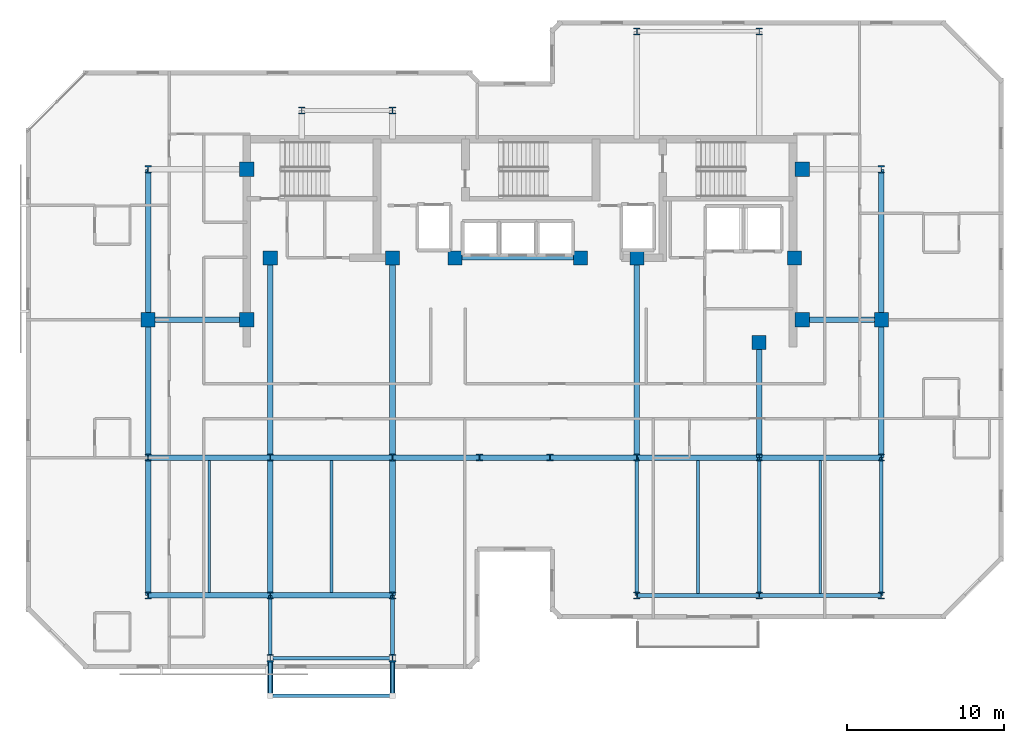
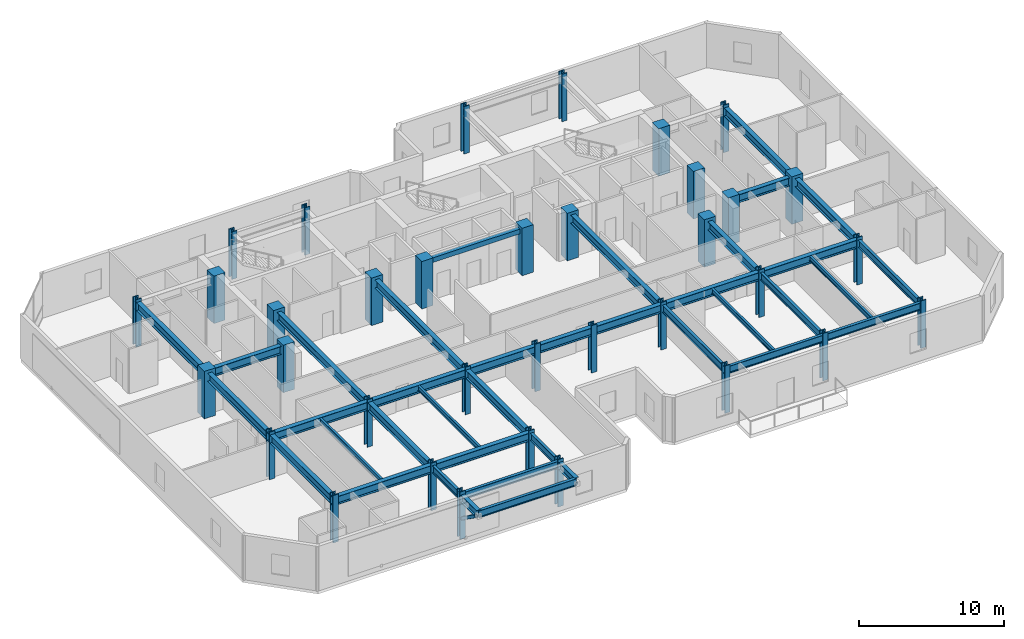
# One storey, part 1 of 10: 38 beams, 35 columns, 2 members.
"""IFC4 building model written with IfcOpenShell, lengths in metres."""

from ifc_helpers import new_model, si_unit, direction, frame, origin, origin_2d, place, context, subcontext, project, spatial, rectangle, hollow_rectangle, i_section, extrude, material, material_profile, profile_set, type_object, element, save


model = new_model("IFC4")

# Units and contexts
model_context = context("Model", 3, precision=1e-05, world=origin(), true_north=direction((0.0, 1.0)))
body_context = subcontext(model_context, "Body", "Model", "MODEL_VIEW")
ifc_project = project(units=[si_unit("LENGTHUNIT", "METRE"), si_unit("AREAUNIT", "SQUARE_METRE"), si_unit("VOLUMEUNIT", "CUBIC_METRE"), si_unit("PLANEANGLEUNIT", "RADIAN"), si_unit("MASSUNIT", "GRAM", prefix="KILO")], contexts=[model_context])

# Site, building, storey
site_placement = place(None, origin())
site = spatial("IfcSite", under=ifc_project, at=site_placement, CompositionType="ELEMENT")
building_placement = place(site_placement, origin())
building = spatial("IfcBuilding", under=site, at=building_placement, Name="Kestravale Grand Hotel", CompositionType="ELEMENT")
storey_placement = place(building_placement, frame((0.0, 0.0, 269.39990234375)))
storey = spatial("IfcBuildingStorey", under=building, at=storey_placement, Name="L67", CompositionType="ELEMENT", Elevation=269.39990234375)

# Columns
ifc_material_1 = material(Name="Concrete f'c 50 MPa", Category="concrete")
ifc_material_profile_1 = material_profile(ifc_material_1, rectangle(XDim=0.89990234375, YDim=0.89990234375, at=origin_2d()))
ifc_profile_set_1 = profile_set([ifc_material_profile_1], Name="Concrete f'c 50 MPa")
column_type_1 = type_object("IfcColumnType", Name="C-Z4-900", PredefinedType="COLUMN", material=ifc_profile_set_1)
for number, where, z_axis, x_axis, name in (
    (1, (15.60009765625, 28.800048828125, 0.0), (0.0, 0.0, 1.0), (1.0, 0.0, 0.0), "L67 column 3-E"),
    (2, (62.39990234375, 28.800048828125, 0.0), (0.0, 0.0, 1.0), (1.0, 0.0, 0.0), "L67 column 10-E"),
    (3, (21.89990234375, 28.800048828125, 0.0), (0.0, 0.0, 1.0), (1.0, 0.0, 0.0), "L67 column CW-E"),
    (4, (21.89990234375, 38.39990234375, 0.0), (0.0, 0.0, 1.0), (1.0, 0.0, 0.0), "L67 column CW-F"),
    (5, (57.35009765625, 28.800048828125, 0.0), (0.0, 0.0, 1.0), (1.0, 0.0, 0.0), "L67 column CE-E"),
    (6, (57.35009765625, 38.39990234375, 0.0), (0.0, 0.0, 1.0), (1.0, 0.0, 0.0), "L67 column CE-F"),
    (7, (23.39990234375, 32.75, 0.0), (0.0, 0.0, 1.0), (1.0, 0.0, 0.0), "L67 column 4-CS"),
    (8, (31.199951171875, 32.75, 0.0), (0.0, 0.0, 1.0), (1.0, 0.0, 0.0), "L67 column 5-CS"),
    (9, (35.199951171875, 32.75, 0.0), (0.0, 0.0, 1.0), (1.0, 0.0, 0.0), "L67 column 6C-CS"),
    (10, (43.199951171875, 32.75, 0.0), (0.0, 0.0, 1.0), (1.0, 0.0, 0.0), "L67 column 7C-CS"),
    (11, (46.800048828125, 32.75, 0.0), (0.0, 0.0, 1.0), (1.0, 0.0, 0.0), "L67 column 8-CS"),
    (12, (54.60009765625, 27.35009765625, 0.0), (0.0, 0.0, 1.0), (1.0, 0.0, 0.0), "L67 column 9-CS"),
    (13, (56.85009765625, 32.75, 0.0), (0.0, 0.0, 1.0), (1.0, 0.0, 0.0), "L67 column 9C-CS"),
):
    element("IfcColumn", number, at=place(storey_placement, frame(where, z_axis=z_axis, x_axis=x_axis)), inside=storey, type_object=column_type_1, Name=name, PredefinedType="COLUMN", context=body_context, shape_type="SweptSolid", body=[
        extrude(rectangle(XDim=0.89990234375, YDim=0.89990234375, at=origin_2d()), origin(), (0.0, 0.0, 1.0), 4.0),
    ])
ifc_material_2 = material(Name="Steel ASTM A992 Grade 50", Category="steel")
ifc_material_profile_2 = material_profile(ifc_material_2, i_section(OverallWidth=0.422119140625, OverallDepth=0.465087890625, WebThickness=0.044921875, FlangeThickness=0.072509765625, FilletRadius=0.0166015625, at=origin_2d()))
ifc_profile_set_2 = profile_set([ifc_material_profile_2], Name="Steel ASTM A992 Grade 50")
column_type_2 = type_object("IfcColumnType", Name="C-Z4-W14X398", PredefinedType="COLUMN", material=ifc_profile_set_2)
for number, where, z_axis, x_axis, name in (
    (14, (15.60009765625, 11.199951171875, 0.0), (0.0, 0.0, 1.0), (1.0, 0.0, 0.0), "L67 column 3-C"),
    (15, (15.60009765625, 20.0, 0.0), (0.0, 0.0, 1.0), (1.0, 0.0, 0.0), "L67 column 3-D"),
    (16, (15.60009765625, 38.39990234375, 0.0), (0.0, 0.0, 1.0), (1.0, 0.0, 0.0), "L67 column 3-F"),
    (17, (23.39990234375, 11.199951171875, 0.0), (0.0, 0.0, 1.0), (1.0, 0.0, 0.0), "L67 column 4-C"),
    (18, (23.39990234375, 20.0, 0.0), (0.0, 0.0, 1.0), (1.0, 0.0, 0.0), "L67 column 4-D"),
    (19, (31.199951171875, 11.199951171875, 0.0), (0.0, 0.0, 1.0), (1.0, 0.0, 0.0), "L67 column 5-C"),
    (20, (31.199951171875, 20.0, 0.0), (0.0, 0.0, 1.0), (1.0, 0.0, 0.0), "L67 column 5-D"),
    (21, (36.75, 20.0, 0.0), (0.0, 0.0, 1.0), (1.0, 0.0, 0.0), "L67 column 6-D"),
    (22, (41.25, 20.0, 0.0), (0.0, 0.0, 1.0), (1.0, 0.0, 0.0), "L67 column 7-D"),
    (23, (46.800048828125, 11.199951171875, 0.0), (0.0, 0.0, 1.0), (1.0, 0.0, 0.0), "L67 column 8-C"),
    (24, (46.800048828125, 20.0, 0.0), (0.0, 0.0, 1.0), (1.0, 0.0, 0.0), "L67 column 8-D"),
    (25, (46.800048828125, 47.199951171875, 0.0), (0.0, 0.0, 1.0), (1.0, 0.0, 0.0), "L67 column 8-G"),
    (26, (54.60009765625, 11.199951171875, 0.0), (0.0, 0.0, 1.0), (1.0, 0.0, 0.0), "L67 column 9-C"),
    (27, (54.60009765625, 20.0, 0.0), (0.0, 0.0, 1.0), (1.0, 0.0, 0.0), "L67 column 9-D"),
    (28, (54.60009765625, 47.199951171875, 0.0), (0.0, 0.0, 1.0), (1.0, 0.0, 0.0), "L67 column 9-G"),
    (29, (62.39990234375, 11.199951171875, 0.0), (0.0, 0.0, 1.0), (1.0, 0.0, 0.0), "L67 column 10-C"),
    (30, (62.39990234375, 20.0, 0.0), (0.0, 0.0, 1.0), (1.0, 0.0, 0.0), "L67 column 10-D"),
    (31, (62.39990234375, 38.39990234375, 0.0), (0.0, 0.0, 1.0), (1.0, 0.0, 0.0), "L67 column 10-F"),
    (32, (23.39990234375, 7.199951171875, 0.0), (0.0, 0.0, 1.0), (1.0, 0.0, 0.0), "L67 column 4-BS"),
    (33, (31.199951171875, 7.199951171875, 0.0), (0.0, 0.0, 1.0), (1.0, 0.0, 0.0), "L67 column 5-BS"),
    (34, (25.39990234375, 42.14990234375, 0.0), (0.0, 0.0, 1.0), (1.0, 0.0, 0.0), "L67 column 4-FN"),
    (35, (31.199951171875, 42.14990234375, 0.0), (0.0, 0.0, 1.0), (1.0, 0.0, 0.0), "L67 column 5-FN"),
):
    element("IfcColumn", number, at=place(storey_placement, frame(where, z_axis=z_axis, x_axis=x_axis)), inside=storey, type_object=column_type_2, Name=name, PredefinedType="COLUMN", context=body_context, shape_type="SweptSolid", body=[
        extrude(i_section(OverallWidth=0.422119140625, OverallDepth=0.465087890625, WebThickness=0.044921875, FlangeThickness=0.072509765625, FilletRadius=0.0166015625, at=origin_2d()), origin(), (0.0, 0.0, 1.0), 4.0),
    ])

# Beams
ifc_material_3 = material(Name="Steel ASTM A992 Grade 50", Category="steel")
ifc_material_profile_3 = material_profile(ifc_material_3, i_section(OverallWidth=0.177978515625, OverallDepth=0.404052734375, WebThickness=0.007568359375, FlangeThickness=0.010986328125, FilletRadius=0.01416015625, at=origin_2d()))
ifc_profile_set_3 = profile_set([ifc_material_profile_3], Name="Steel ASTM A992 Grade 50")
beam_type_1 = type_object("IfcBeamType", Name="B-FLR-JST16", PredefinedType="JOIST", material=ifc_profile_set_3)
for number, where, z_axis, x_axis, name in (
    (36, (19.5, 11.3779296875, 3.55810546875), (0.0, 1.0, 0.0), (-1.0, 0.0, 0.0), "L67 floor joist 3-4/C-D #1"),
    (37, (27.300048828125, 11.3779296875, 3.55810546875), (0.0, 1.0, 0.0), (-1.0, 0.0, 0.0), "L67 floor joist 4-5/C-D #1"),
):
    element("IfcBeam", number, at=place(storey_placement, frame(where, z_axis=z_axis, x_axis=x_axis)), inside=storey, type_object=beam_type_1, Name=name, PredefinedType="JOIST", context=body_context, shape_type="SweptSolid", body=[
        extrude(i_section(OverallWidth=0.177978515625, OverallDepth=0.404052734375, WebThickness=0.007568359375, FlangeThickness=0.010986328125, FilletRadius=0.01416015625, at=origin_2d()), origin(), (0.0, 0.0, 1.0), 8.444091796875),
    ])
for number, where, z_axis, x_axis, name in (
    (38, (50.699951171875, 11.314453125, 3.55810546875), (0.0, 1.0, 0.0), (-1.0, 0.0, 0.0), "L67 floor joist 8-9/C-D #1"),
    (39, (58.5, 11.314453125, 3.55810546875), (0.0, 1.0, 0.0), (-1.0, 0.0, 0.0), "L67 floor joist 9-10/C-D #1"),
):
    element("IfcBeam", number, at=place(storey_placement, frame(where, z_axis=z_axis, x_axis=x_axis)), inside=storey, type_object=beam_type_1, Name=name, PredefinedType="JOIST", context=body_context, shape_type="SweptSolid", body=[
        extrude(i_section(OverallWidth=0.177978515625, OverallDepth=0.404052734375, WebThickness=0.007568359375, FlangeThickness=0.010986328125, FilletRadius=0.01416015625, at=origin_2d()), origin(), (0.0, 0.0, 1.0), 8.507568359375),
    ])
ifc_material_4 = material(Name="Concrete f'c 45 MPa", Category="concrete")
ifc_material_profile_4 = material_profile(ifc_material_4, rectangle(XDim=0.300048828125, YDim=0.39990234375, at=origin_2d()))
ifc_profile_set_4 = profile_set([ifc_material_profile_4], Name="Concrete f'c 45 MPa")
beam_type_2 = type_object("IfcBeamType", Name="B-FLR-LNT400", PredefinedType="LINTEL", material=ifc_profile_set_4)
beam_1_placement = place(storey_placement, frame((35.199951171875, 32.75, 3.56005859375), z_axis=(1.0, 0.0, 0.0), x_axis=(0.0, 1.0, 0.0)))
element("IfcBeam", 40, at=beam_1_placement, inside=storey, type_object=beam_type_2, Name="L67 core portal header lintel", PredefinedType="LINTEL", context=body_context, shape_type="SweptSolid", body=[
    extrude(rectangle(XDim=0.300048828125, YDim=0.39990234375, at=origin_2d()), origin(), (0.0, 0.0, 1.0), 8.0),
])
ifc_material_5 = material(Name="Steel ASTM A992 Grade 50", Category="steel")
ifc_material_profile_5 = material_profile(ifc_material_5, i_section(OverallWidth=0.324951171875, OverallDepth=0.612060546875, WebThickness=0.0126953125, FlangeThickness=0.01904296875, FilletRadius=0.018798828125, at=origin_2d()))
ifc_profile_set_5 = profile_set([ifc_material_profile_5], Name="Steel ASTM A992 Grade 50")
beam_type_3 = type_object("IfcBeamType", Name="B-FLR-W24A", PredefinedType="SPANDREL", material=ifc_profile_set_5)
for number, where, z_axis, x_axis, name in (
    (41, (23.39990234375, 7.199951171875, 3.424072265625), (0.0, -1.0, 0.0), (1.0, 0.0, 0.0), "L68 terrace cantilever beam 1"),
    (42, (31.199951171875, 7.199951171875, 3.424072265625), (0.0, -1.0, 0.0), (1.0, 0.0, 0.0), "L68 terrace cantilever beam 2"),
):
    element("IfcBeam", number, at=place(storey_placement, frame(where, z_axis=z_axis, x_axis=x_axis)), inside=storey, type_object=beam_type_3, Name=name, PredefinedType="SPANDREL", context=body_context, shape_type="SweptSolid", body=[
        extrude(i_section(OverallWidth=0.324951171875, OverallDepth=0.612060546875, WebThickness=0.0126953125, FlangeThickness=0.01904296875, FilletRadius=0.018798828125, at=origin_2d()), origin(), (0.0, 0.0, 1.0), 2.39990234375),
    ])
ifc_material_6 = material(Name="Steel ASTM A992 Grade 50", Category="steel")
ifc_material_profile_6 = material_profile(ifc_material_6, i_section(OverallWidth=0.22900390625, OverallDepth=0.612060546875, WebThickness=0.011962890625, FlangeThickness=0.01953125, FilletRadius=0.019287109375, at=origin_2d()))
ifc_profile_set_6 = profile_set([ifc_material_profile_6], Name="Steel ASTM A992 Grade 50")
beam_type_4 = type_object("IfcBeamType", Name="B-FLR-W24B", PredefinedType="SPANDREL", material=ifc_profile_set_6)
beam_2_placement = place(storey_placement, frame((46.800048828125, 11.199951171875, 3.4541015625), z_axis=(1.0, 0.0, 0.0), x_axis=(0.0, 1.0, 0.0)))
element("IfcBeam", 43, at=beam_2_placement, inside=storey, type_object=beam_type_4, Name="L67 spandrel C:8-9", PredefinedType="SPANDREL", context=body_context, shape_type="SweptSolid", body=[
    extrude(i_section(OverallWidth=0.22900390625, OverallDepth=0.612060546875, WebThickness=0.011962890625, FlangeThickness=0.01953125, FilletRadius=0.019287109375, at=origin_2d()), origin(), (0.0, 0.0, 1.0), 7.800048828125),
])
beam_3_placement = place(storey_placement, frame((54.60009765625, 11.199951171875, 3.4541015625), z_axis=(1.0, 0.0, 0.0), x_axis=(0.0, 1.0, 0.0)))
element("IfcBeam", 44, at=beam_3_placement, inside=storey, type_object=beam_type_4, Name="L67 spandrel C:9-10", PredefinedType="SPANDREL", context=body_context, shape_type="SweptSolid", body=[
    extrude(i_section(OverallWidth=0.22900390625, OverallDepth=0.612060546875, WebThickness=0.011962890625, FlangeThickness=0.01953125, FilletRadius=0.019287109375, at=origin_2d()), origin(), (0.0, 0.0, 1.0), 7.7998046875),
])
beam_4_placement = place(storey_placement, frame((23.39990234375, 7.199951171875, 3.4541015625), z_axis=(1.0, 0.0, 0.0), x_axis=(0.0, 1.0, 0.0)))
element("IfcBeam", 45, at=beam_4_placement, inside=storey, type_object=beam_type_4, Name="L67 perimeter tie spandrel BS:4-5", PredefinedType="SPANDREL", context=body_context, shape_type="SweptSolid", body=[
    extrude(i_section(OverallWidth=0.22900390625, OverallDepth=0.612060546875, WebThickness=0.011962890625, FlangeThickness=0.01953125, FilletRadius=0.019287109375, at=origin_2d()), origin(), (0.0, 0.0, 1.0), 7.800048828125),
])
for number, where, z_axis, x_axis, name in (
    (46, (23.39990234375, 7.199951171875, 3.4541015625), (0.0, 1.0, 0.0), (-1.0, 0.0, 0.0), "L67 spandrel 4:BS-C"),
    (47, (31.199951171875, 7.199951171875, 3.4541015625), (0.0, 1.0, 0.0), (-1.0, 0.0, 0.0), "L67 spandrel 5:BS-C"),
):
    element("IfcBeam", number, at=place(storey_placement, frame(where, z_axis=z_axis, x_axis=x_axis)), inside=storey, type_object=beam_type_4, Name=name, PredefinedType="SPANDREL", context=body_context, shape_type="SweptSolid", body=[
        extrude(i_section(OverallWidth=0.22900390625, OverallDepth=0.612060546875, WebThickness=0.011962890625, FlangeThickness=0.01953125, FilletRadius=0.019287109375, at=origin_2d()), origin(), (0.0, 0.0, 1.0), 4.0),
    ])
for number, where, z_axis, x_axis, name in (
    (48, (46.800048828125, 11.199951171875, 3.4541015625), (0.0, 1.0, 0.0), (-1.0, 0.0, 0.0), "L67 spandrel 8:C-D"),
    (49, (54.60009765625, 11.199951171875, 3.4541015625), (0.0, 1.0, 0.0), (-1.0, 0.0, 0.0), "L67 spandrel 9:C-D"),
    (50, (62.39990234375, 11.199951171875, 3.4541015625), (0.0, 1.0, 0.0), (-1.0, 0.0, 0.0), "L67 spandrel 10:C-D"),
):
    element("IfcBeam", number, at=place(storey_placement, frame(where, z_axis=z_axis, x_axis=x_axis)), inside=storey, type_object=beam_type_4, Name=name, PredefinedType="SPANDREL", context=body_context, shape_type="SweptSolid", body=[
        extrude(i_section(OverallWidth=0.22900390625, OverallDepth=0.612060546875, WebThickness=0.011962890625, FlangeThickness=0.01953125, FilletRadius=0.019287109375, at=origin_2d()), origin(), (0.0, 0.0, 1.0), 8.800048828125),
    ])
beam_5_placement = place(storey_placement, frame((23.39990234375, 4.800048828125, 3.424072265625), z_axis=(1.0, 0.0, 0.0), x_axis=(0.0, 1.0, 0.0)))
element("IfcBeam", 51, at=beam_5_placement, inside=storey, type_object=beam_type_4, Name="L68 terrace edge spandrel", PredefinedType="SPANDREL", context=body_context, shape_type="SweptSolid", body=[
    extrude(i_section(OverallWidth=0.22900390625, OverallDepth=0.612060546875, WebThickness=0.011962890625, FlangeThickness=0.01953125, FilletRadius=0.019287109375, at=origin_2d()), origin(), (0.0, 0.0, 1.0), 7.800048828125),
])
ifc_material_7 = material(Name="Steel ASTM A992 Grade 50", Category="steel")
ifc_material_profile_7 = material_profile(ifc_material_7, i_section(OverallWidth=0.35595703125, OverallDepth=0.696044921875, WebThickness=0.015380859375, FlangeThickness=0.02490234375, FilletRadius=0.021240234375, at=origin_2d()))
ifc_profile_set_7 = profile_set([ifc_material_profile_7], Name="Steel ASTM A992 Grade 50")
beam_type_5 = type_object("IfcBeamType", Name="B-GRD-W27", PredefinedType="BEAM", material=ifc_profile_set_7)
beam_6_placement = place(storey_placement, frame((15.60009765625, 11.199951171875, 3.412109375), z_axis=(1.0, 0.0, 0.0), x_axis=(0.0, 1.0, 0.0)))
element("IfcBeam", 52, at=beam_6_placement, inside=storey, type_object=beam_type_5, Name="L67 girder C:3-4", PredefinedType="BEAM", context=body_context, shape_type="SweptSolid", body=[
    extrude(i_section(OverallWidth=0.35595703125, OverallDepth=0.696044921875, WebThickness=0.015380859375, FlangeThickness=0.02490234375, FilletRadius=0.021240234375, at=origin_2d()), origin(), (0.0, 0.0, 1.0), 7.7998046875),
])
beam_7_placement = place(storey_placement, frame((23.39990234375, 11.199951171875, 3.412109375), z_axis=(1.0, 0.0, 0.0), x_axis=(0.0, 1.0, 0.0)))
element("IfcBeam", 53, at=beam_7_placement, inside=storey, type_object=beam_type_5, Name="L67 girder C:4-5", PredefinedType="BEAM", context=body_context, shape_type="SweptSolid", body=[
    extrude(i_section(OverallWidth=0.35595703125, OverallDepth=0.696044921875, WebThickness=0.015380859375, FlangeThickness=0.02490234375, FilletRadius=0.021240234375, at=origin_2d()), origin(), (0.0, 0.0, 1.0), 7.800048828125),
])
beam_8_placement = place(storey_placement, frame((15.60009765625, 20.0, 3.412109375), z_axis=(1.0, 0.0, 0.0), x_axis=(0.0, 1.0, 0.0)))
element("IfcBeam", 54, at=beam_8_placement, inside=storey, type_object=beam_type_5, Name="L67 girder D:3-4", PredefinedType="BEAM", context=body_context, shape_type="SweptSolid", body=[
    extrude(i_section(OverallWidth=0.35595703125, OverallDepth=0.696044921875, WebThickness=0.015380859375, FlangeThickness=0.02490234375, FilletRadius=0.021240234375, at=origin_2d()), origin(), (0.0, 0.0, 1.0), 7.7998046875),
])
beam_9_placement = place(storey_placement, frame((23.39990234375, 20.0, 3.412109375), z_axis=(1.0, 0.0, 0.0), x_axis=(0.0, 1.0, 0.0)))
element("IfcBeam", 55, at=beam_9_placement, inside=storey, type_object=beam_type_5, Name="L67 girder D:4-5", PredefinedType="BEAM", context=body_context, shape_type="SweptSolid", body=[
    extrude(i_section(OverallWidth=0.35595703125, OverallDepth=0.696044921875, WebThickness=0.015380859375, FlangeThickness=0.02490234375, FilletRadius=0.021240234375, at=origin_2d()), origin(), (0.0, 0.0, 1.0), 7.800048828125),
])
beam_10_placement = place(storey_placement, frame((31.199951171875, 20.0, 3.412109375), z_axis=(1.0, 0.0, 0.0), x_axis=(0.0, 1.0, 0.0)))
element("IfcBeam", 56, at=beam_10_placement, inside=storey, type_object=beam_type_5, Name="L67 girder D:5-6", PredefinedType="BEAM", context=body_context, shape_type="SweptSolid", body=[
    extrude(i_section(OverallWidth=0.35595703125, OverallDepth=0.696044921875, WebThickness=0.015380859375, FlangeThickness=0.02490234375, FilletRadius=0.021240234375, at=origin_2d()), origin(), (0.0, 0.0, 1.0), 5.550048828125),
])
beam_11_placement = place(storey_placement, frame((36.75, 20.0, 3.412109375), z_axis=(1.0, 0.0, 0.0), x_axis=(0.0, 1.0, 0.0)))
element("IfcBeam", 57, at=beam_11_placement, inside=storey, type_object=beam_type_5, Name="L67 girder D:6-7", PredefinedType="BEAM", context=body_context, shape_type="SweptSolid", body=[
    extrude(i_section(OverallWidth=0.35595703125, OverallDepth=0.696044921875, WebThickness=0.015380859375, FlangeThickness=0.02490234375, FilletRadius=0.021240234375, at=origin_2d()), origin(), (0.0, 0.0, 1.0), 4.5),
])
beam_12_placement = place(storey_placement, frame((41.25, 20.0, 3.412109375), z_axis=(1.0, 0.0, 0.0), x_axis=(0.0, 1.0, 0.0)))
element("IfcBeam", 58, at=beam_12_placement, inside=storey, type_object=beam_type_5, Name="L67 girder D:7-8", PredefinedType="BEAM", context=body_context, shape_type="SweptSolid", body=[
    extrude(i_section(OverallWidth=0.35595703125, OverallDepth=0.696044921875, WebThickness=0.015380859375, FlangeThickness=0.02490234375, FilletRadius=0.021240234375, at=origin_2d()), origin(), (0.0, 0.0, 1.0), 5.550048828125),
])
beam_13_placement = place(storey_placement, frame((46.800048828125, 20.0, 3.412109375), z_axis=(1.0, 0.0, 0.0), x_axis=(0.0, 1.0, 0.0)))
element("IfcBeam", 59, at=beam_13_placement, inside=storey, type_object=beam_type_5, Name="L67 girder D:8-9", PredefinedType="BEAM", context=body_context, shape_type="SweptSolid", body=[
    extrude(i_section(OverallWidth=0.35595703125, OverallDepth=0.696044921875, WebThickness=0.015380859375, FlangeThickness=0.02490234375, FilletRadius=0.021240234375, at=origin_2d()), origin(), (0.0, 0.0, 1.0), 7.800048828125),
])
beam_14_placement = place(storey_placement, frame((54.60009765625, 20.0, 3.412109375), z_axis=(1.0, 0.0, 0.0), x_axis=(0.0, 1.0, 0.0)))
element("IfcBeam", 60, at=beam_14_placement, inside=storey, type_object=beam_type_5, Name="L67 girder D:9-10", PredefinedType="BEAM", context=body_context, shape_type="SweptSolid", body=[
    extrude(i_section(OverallWidth=0.35595703125, OverallDepth=0.696044921875, WebThickness=0.015380859375, FlangeThickness=0.02490234375, FilletRadius=0.021240234375, at=origin_2d()), origin(), (0.0, 0.0, 1.0), 7.7998046875),
])
beam_15_placement = place(storey_placement, frame((15.60009765625, 28.800048828125, 3.412109375), z_axis=(1.0, 0.0, 0.0), x_axis=(0.0, 1.0, 0.0)))
element("IfcBeam", 61, at=beam_15_placement, inside=storey, type_object=beam_type_5, Name="L67 girder E:3-CW", PredefinedType="BEAM", context=body_context, shape_type="SweptSolid", body=[
    extrude(i_section(OverallWidth=0.35595703125, OverallDepth=0.696044921875, WebThickness=0.015380859375, FlangeThickness=0.02490234375, FilletRadius=0.021240234375, at=origin_2d()), origin(), (0.0, 0.0, 1.0), 6.2998046875),
])
beam_16_placement = place(storey_placement, frame((57.35009765625, 28.800048828125, 3.412109375), z_axis=(1.0, 0.0, 0.0), x_axis=(0.0, 1.0, 0.0)))
element("IfcBeam", 62, at=beam_16_placement, inside=storey, type_object=beam_type_5, Name="L67 girder E:CE-10", PredefinedType="BEAM", context=body_context, shape_type="SweptSolid", body=[
    extrude(i_section(OverallWidth=0.35595703125, OverallDepth=0.696044921875, WebThickness=0.015380859375, FlangeThickness=0.02490234375, FilletRadius=0.021240234375, at=origin_2d()), origin(), (0.0, 0.0, 1.0), 5.0498046875),
])
for number, where, z_axis, x_axis, name in (
    (63, (15.60009765625, 11.199951171875, 3.412109375), (0.0, 1.0, 0.0), (-1.0, 0.0, 0.0), "L67 girder 3:C-D"),
    (64, (15.60009765625, 20.0, 3.412109375), (0.0, 1.0, 0.0), (-1.0, 0.0, 0.0), "L67 girder 3:D-E"),
):
    element("IfcBeam", number, at=place(storey_placement, frame(where, z_axis=z_axis, x_axis=x_axis)), inside=storey, type_object=beam_type_5, Name=name, PredefinedType="BEAM", context=body_context, shape_type="SweptSolid", body=[
        extrude(i_section(OverallWidth=0.35595703125, OverallDepth=0.696044921875, WebThickness=0.015380859375, FlangeThickness=0.02490234375, FilletRadius=0.021240234375, at=origin_2d()), origin(), (0.0, 0.0, 1.0), 8.800048828125),
    ])
beam_17_placement = place(storey_placement, frame((15.60009765625, 28.800048828125, 3.412109375), z_axis=(0.0, 1.0, 0.0), x_axis=(-1.0, 0.0, 0.0)))
element("IfcBeam", 65, at=beam_17_placement, inside=storey, type_object=beam_type_5, Name="L67 girder 3:E-F", PredefinedType="BEAM", context=body_context, shape_type="SweptSolid", body=[
    extrude(i_section(OverallWidth=0.35595703125, OverallDepth=0.696044921875, WebThickness=0.015380859375, FlangeThickness=0.02490234375, FilletRadius=0.021240234375, at=origin_2d()), origin(), (0.0, 0.0, 1.0), 9.599853515625),
])
beam_18_placement = place(storey_placement, frame((23.39990234375, 11.199951171875, 3.412109375), z_axis=(0.0, 1.0, 0.0), x_axis=(-1.0, 0.0, 0.0)))
element("IfcBeam", 66, at=beam_18_placement, inside=storey, type_object=beam_type_5, Name="L67 girder 4:C-D", PredefinedType="BEAM", context=body_context, shape_type="SweptSolid", body=[
    extrude(i_section(OverallWidth=0.35595703125, OverallDepth=0.696044921875, WebThickness=0.015380859375, FlangeThickness=0.02490234375, FilletRadius=0.021240234375, at=origin_2d()), origin(), (0.0, 0.0, 1.0), 8.800048828125),
])
beam_19_placement = place(storey_placement, frame((23.39990234375, 20.0, 3.412109375), z_axis=(0.0, 1.0, 0.0), x_axis=(-1.0, 0.0, 0.0)))
element("IfcBeam", 67, at=beam_19_placement, inside=storey, type_object=beam_type_5, Name="L67 girder 4:D-CS", PredefinedType="BEAM", context=body_context, shape_type="SweptSolid", body=[
    extrude(i_section(OverallWidth=0.35595703125, OverallDepth=0.696044921875, WebThickness=0.015380859375, FlangeThickness=0.02490234375, FilletRadius=0.021240234375, at=origin_2d()), origin(), (0.0, 0.0, 1.0), 12.75),
])
beam_20_placement = place(storey_placement, frame((31.199951171875, 11.199951171875, 3.412109375), z_axis=(0.0, 1.0, 0.0), x_axis=(-1.0, 0.0, 0.0)))
element("IfcBeam", 68, at=beam_20_placement, inside=storey, type_object=beam_type_5, Name="L67 girder 5:C-D", PredefinedType="BEAM", context=body_context, shape_type="SweptSolid", body=[
    extrude(i_section(OverallWidth=0.35595703125, OverallDepth=0.696044921875, WebThickness=0.015380859375, FlangeThickness=0.02490234375, FilletRadius=0.021240234375, at=origin_2d()), origin(), (0.0, 0.0, 1.0), 8.800048828125),
])
for number, where, z_axis, x_axis, name in (
    (69, (31.199951171875, 20.0, 3.412109375), (0.0, 1.0, 0.0), (-1.0, 0.0, 0.0), "L67 girder 5:D-CS"),
    (70, (46.800048828125, 20.0, 3.412109375), (0.0, 1.0, 0.0), (-1.0, 0.0, 0.0), "L67 girder 8:D-CS"),
):
    element("IfcBeam", number, at=place(storey_placement, frame(where, z_axis=z_axis, x_axis=x_axis)), inside=storey, type_object=beam_type_5, Name=name, PredefinedType="BEAM", context=body_context, shape_type="SweptSolid", body=[
        extrude(i_section(OverallWidth=0.35595703125, OverallDepth=0.696044921875, WebThickness=0.015380859375, FlangeThickness=0.02490234375, FilletRadius=0.021240234375, at=origin_2d()), origin(), (0.0, 0.0, 1.0), 12.75),
    ])
beam_21_placement = place(storey_placement, frame((54.60009765625, 20.0, 3.412109375), z_axis=(0.0, 1.0, 0.0), x_axis=(-1.0, 0.0, 0.0)))
element("IfcBeam", 71, at=beam_21_placement, inside=storey, type_object=beam_type_5, Name="L67 girder 9:D-CS", PredefinedType="BEAM", context=body_context, shape_type="SweptSolid", body=[
    extrude(i_section(OverallWidth=0.35595703125, OverallDepth=0.696044921875, WebThickness=0.015380859375, FlangeThickness=0.02490234375, FilletRadius=0.021240234375, at=origin_2d()), origin(), (0.0, 0.0, 1.0), 7.35009765625),
])
beam_22_placement = place(storey_placement, frame((62.39990234375, 20.0, 3.412109375), z_axis=(0.0, 1.0, 0.0), x_axis=(-1.0, 0.0, 0.0)))
element("IfcBeam", 72, at=beam_22_placement, inside=storey, type_object=beam_type_5, Name="L67 girder 10:D-E", PredefinedType="BEAM", context=body_context, shape_type="SweptSolid", body=[
    extrude(i_section(OverallWidth=0.35595703125, OverallDepth=0.696044921875, WebThickness=0.015380859375, FlangeThickness=0.02490234375, FilletRadius=0.021240234375, at=origin_2d()), origin(), (0.0, 0.0, 1.0), 8.800048828125),
])
beam_23_placement = place(storey_placement, frame((62.39990234375, 28.800048828125, 3.412109375), z_axis=(0.0, 1.0, 0.0), x_axis=(-1.0, 0.0, 0.0)))
element("IfcBeam", 73, at=beam_23_placement, inside=storey, type_object=beam_type_5, Name="L67 girder 10:E-F", PredefinedType="BEAM", context=body_context, shape_type="SweptSolid", body=[
    extrude(i_section(OverallWidth=0.35595703125, OverallDepth=0.696044921875, WebThickness=0.015380859375, FlangeThickness=0.02490234375, FilletRadius=0.021240234375, at=origin_2d()), origin(), (0.0, 0.0, 1.0), 9.599853515625),
])

# Members
ifc_material_8 = material(Name="Steel ASTM A500 Grade C", Category="steel")
ifc_material_profile_8 = material_profile(ifc_material_8, hollow_rectangle(XDim=0.25, YDim=0.25, WallThickness=0.011962890625, InnerFilletRadius=0.011962890625, OuterFilletRadius=0.02392578125, at=origin_2d()))
ifc_profile_set_8 = profile_set([ifc_material_profile_8], Name="Steel ASTM A500 Grade C")
member_type = type_object("IfcMemberType", Name="M-BLT-STR250", PredefinedType="STRUT", material=ifc_profile_set_8)
for number, where, z_axis, x_axis, name in (
    (74, (23.39990234375, 7.199951171875, 1.57421875), (0.0, -0.816021218136, 0.578021947292), (1.0, 0.0, 0.0), "L68 terrace knee-brace strut 1"),
    (75, (31.199951171875, 7.199951171875, 1.57421875), (0.0, -0.816021218136, 0.578021947292), (1.0, 0.0, 0.0), "L68 terrace knee-brace strut 2"),
):
    element("IfcMember", number, at=place(storey_placement, frame(where, z_axis=z_axis, x_axis=x_axis)), inside=storey, type_object=member_type, Name=name, PredefinedType="STRUT", context=body_context, shape_type="SweptSolid", body=[
        extrude(hollow_rectangle(XDim=0.25, YDim=0.25, WallThickness=0.011962890625, InnerFilletRadius=0.011962890625, OuterFilletRadius=0.02392578125, at=origin_2d()), origin(), (0.0, 0.0, 1.0), 2.94091796875),
    ])

save(model, "model.ifc")
